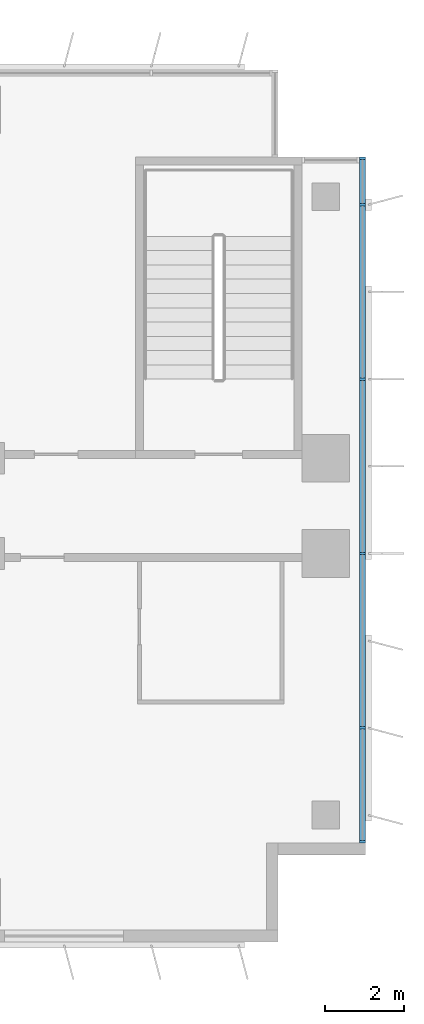
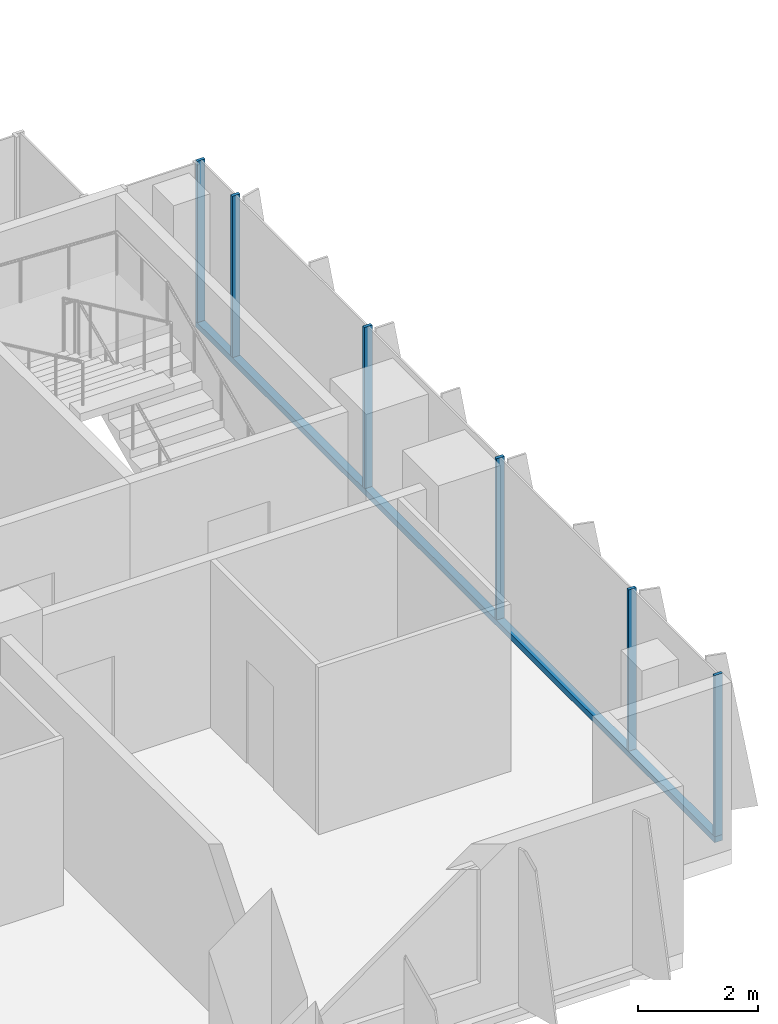
# One storey, part 8 of 22: 7 members, 1 element without a shape of its own.
"""IFC4 building model written with IfcOpenShell, lengths in metres."""

from ifc_helpers import new_model, si_unit, direction, frame, origin, origin_2d, place, context, subcontext, project, spatial, rectangle, extrude, source, transform, mapped, material, material_profile, profile_set, type_object, element, aggregate, save


model = new_model("IFC4")

# Units and contexts
model_context = context("Model", 3, precision=1e-05, world=origin(), true_north=direction((0.0, 1.0)))
body_context = subcontext(model_context, "Body", "Model", "MODEL_VIEW")
ifc_project = project(units=[si_unit("LENGTHUNIT", "METRE"), si_unit("AREAUNIT", "SQUARE_METRE"), si_unit("VOLUMEUNIT", "CUBIC_METRE"), si_unit("PLANEANGLEUNIT", "RADIAN"), si_unit("MASSUNIT", "GRAM", prefix="KILO")], contexts=[model_context])

# Site, building, storey
site_placement = place(None, origin())
site = spatial("IfcSite", under=ifc_project, at=site_placement, CompositionType="ELEMENT")
building_placement = place(site_placement, origin())
building = spatial("IfcBuilding", under=site, at=building_placement, Name="Kemantara Hotel Tower", CompositionType="ELEMENT")
storey_placement = place(building_placement, frame((0.0, 0.0, 125.89990234375)))
storey = spatial("IfcBuildingStorey", under=building, at=storey_placement, Name="L30", CompositionType="ELEMENT", Elevation=125.89990234375)

# Curtain wall, members
ifc_material_1 = material(Name="Low-E tinted double insulated glass 36 mm", Category="glass")
curtain_wall_type = type_object("IfcCurtainWallType", Name="TOWER CURTAIN WALL, FRONT FACES", PredefinedType="USERDEFINED", material=ifc_material_1)
curtain_wall_placement = place(storey_placement, origin())
curtain_wall = element("IfcCurtainWall", 1, at=curtain_wall_placement, inside=storey, type_object=curtain_wall_type, Name="CW4 L30 T2-R10-1", ObjectType="TOWER CURTAIN WALL, FRONT FACES", PredefinedType="USERDEFINED")
ifc_material_2 = material(Name="Aluminium 6063-T6 bronze anodised", Category="aluminium")
ifc_material_profile_1 = material_profile(ifc_material_2, rectangle(XDim=0.14990234375, YDim=0.1201171875, at=origin_2d()), Name="TOWER CURTAIN WALL, FRONT FACES TRANSOM")
ifc_profile_set_1 = profile_set([ifc_material_profile_1], Name="Aluminium 6063-T6 bronze anodised")
member_type_1 = type_object("IfcMemberType", Name="TOWER CURTAIN WALL, FRONT FACES TRANSOM", PredefinedType="USERDEFINED", material=ifc_profile_set_1)
member_1_placement = place(storey_placement, frame((63.52490234375, 2.5, 0.06005859375), z_axis=(0.0, 1.0, 0.0), x_axis=(-1.0, 0.0, 0.0)))
member_1 = element("IfcMember", 2, at=member_1_placement, type_object=member_type_1, Name="CW4 sill transom T2-R10-1", ObjectType="TRANSOM", PredefinedType="USERDEFINED", context=body_context, shape_type="SweptSolid", body=[
    extrude(rectangle(XDim=0.14990234375, YDim=0.1201171875, at=origin_2d()), origin(), (0.0, 0.0, 1.0), 17.300048828125),
])
ifc_material_profile_2 = material_profile(ifc_material_2, rectangle(XDim=0.14990234375, YDim=0.06005859375, at=origin_2d()), Name="TOWER CURTAIN WALL, FRONT FACES MULLION")
ifc_profile_set_2 = profile_set([ifc_material_profile_2], Name="Aluminium 6063-T6 bronze anodised")
member_type_2 = type_object("IfcMemberType", Name="TOWER CURTAIN WALL, FRONT FACES MULLION", PredefinedType="MULLION", material=ifc_profile_set_2)
shared_shape = source(origin(), body_context, "Body", "SweptSolid", [
    extrude(rectangle(XDim=0.14990234375, YDim=0.06005859375, at=origin_2d()), origin(), (0.0, 0.0, 1.0), 3.280029296875),
])
member_2_placement = place(storey_placement, frame((63.52490234375, 2.530029296875, 0.1201171875), z_axis=(0.0, 0.0, 1.0), x_axis=(-1.0, 0.0, 0.0)))
member_2 = element("IfcMember", 3, at=member_2_placement, type_object=member_type_2, Name="CW4 mullion T2-R10-1.1", PredefinedType="MULLION", context=body_context, shape_type="MappedRepresentation", body=[
    mapped(shared_shape, transform((0.0, 0.0, 0.0))),
])
member_3_placement = place(storey_placement, frame((63.52490234375, 5.39990234375, 0.1201171875), z_axis=(0.0, 0.0, 1.0), x_axis=(-1.0, 0.0, 0.0)))
member_3 = element("IfcMember", 4, at=member_3_placement, type_object=member_type_2, Name="CW4 mullion T2-R10-1.2", PredefinedType="MULLION", context=body_context, shape_type="MappedRepresentation", body=[
    mapped(shared_shape, transform((0.0, 0.0, 0.0))),
])
member_4_placement = place(storey_placement, frame((63.52490234375, 9.800048828125, 0.1201171875), z_axis=(0.0, 0.0, 1.0), x_axis=(-1.0, 0.0, 0.0)))
member_4 = element("IfcMember", 5, at=member_4_placement, type_object=member_type_2, Name="CW4 mullion T2-R10-1.3", PredefinedType="MULLION", context=body_context, shape_type="MappedRepresentation", body=[
    mapped(shared_shape, transform((0.0, 0.0, 0.0))),
])
member_5_placement = place(storey_placement, frame((63.52490234375, 14.199951171875, 0.1201171875), z_axis=(0.0, 0.0, 1.0), x_axis=(-1.0, 0.0, 0.0)))
member_5 = element("IfcMember", 6, at=member_5_placement, type_object=member_type_2, Name="CW4 mullion T2-R10-1.4", PredefinedType="MULLION", context=body_context, shape_type="MappedRepresentation", body=[
    mapped(shared_shape, transform((0.0, 0.0, 0.0))),
])
member_6_placement = place(storey_placement, frame((63.52490234375, 18.60009765625, 0.1201171875), z_axis=(0.0, 0.0, 1.0), x_axis=(-1.0, 0.0, 0.0)))
member_6 = element("IfcMember", 7, at=member_6_placement, type_object=member_type_2, Name="CW4 mullion T2-R10-1.5", PredefinedType="MULLION", context=body_context, shape_type="MappedRepresentation", body=[
    mapped(shared_shape, transform((0.0, 0.0, 0.0))),
])
member_7_placement = place(storey_placement, frame((63.52490234375, 19.77001953125, 0.1201171875), z_axis=(0.0, 0.0, 1.0), x_axis=(-1.0, 0.0, 0.0)))
member_7 = element("IfcMember", 8, at=member_7_placement, type_object=member_type_2, Name="CW4 mullion T2-R10-1.6", PredefinedType="MULLION", context=body_context, shape_type="MappedRepresentation", body=[
    mapped(shared_shape, transform((0.0, 0.0, 0.0))),
])
aggregate(curtain_wall, [member_1, member_2, member_3, member_4, member_5, member_6, member_7])

save(model, "model.ifc")
